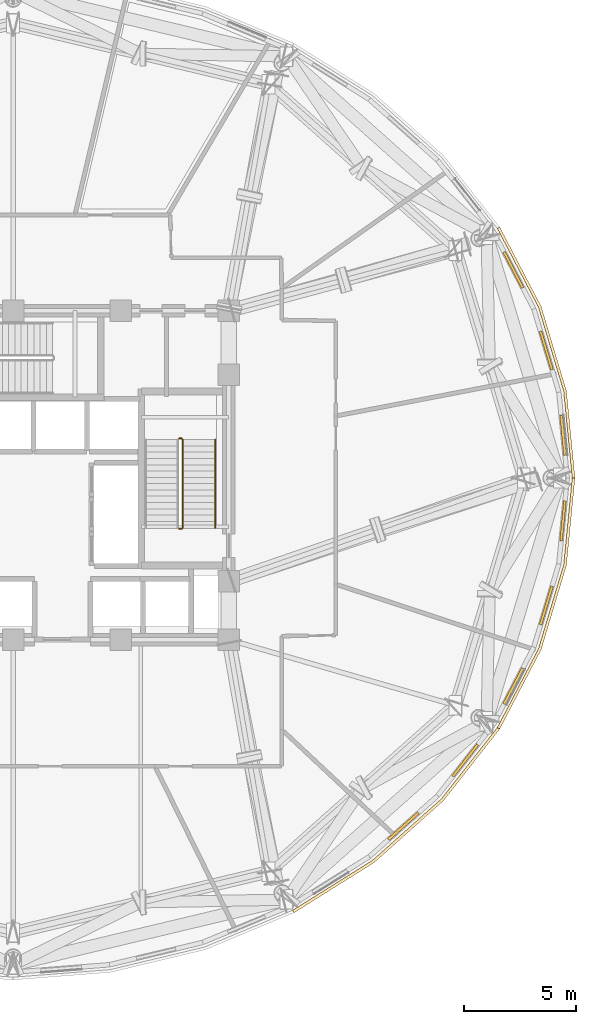
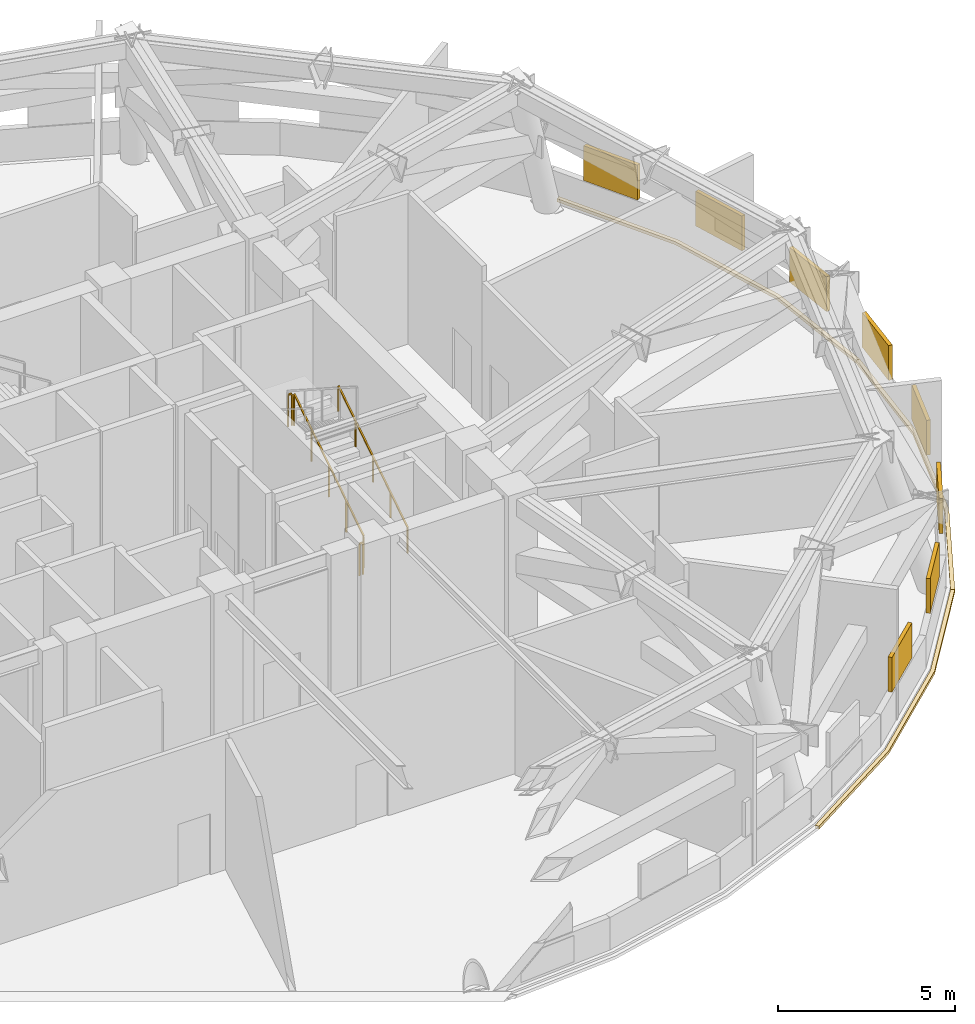
# One storey, part 12 of 13: 8 shading devices, 4 railings, 3 coverings.
"""IFC4 building model written with IfcOpenShell, lengths in metres."""

from ifc_helpers import new_model, si_unit, direction, frame, origin, origin_2d, place, context, subcontext, project, spatial, polyline, rectangle, outline, extrude, material, layer, layer_set, type_object, element, save


model = new_model("IFC4")

# Units and contexts
model_context = context("Model", 3, precision=1e-05, world=origin(), true_north=direction((0.0, 1.0)))
body_context = subcontext(model_context, "Body", "Model", "MODEL_VIEW")
ifc_project = project(units=[si_unit("LENGTHUNIT", "METRE"), si_unit("AREAUNIT", "SQUARE_METRE"), si_unit("VOLUMEUNIT", "CUBIC_METRE"), si_unit("PLANEANGLEUNIT", "RADIAN"), si_unit("MASSUNIT", "GRAM", prefix="KILO")], contexts=[model_context])

# Site, building, storey
site_placement = place(None, origin())
site = spatial("IfcSite", under=ifc_project, at=site_placement, CompositionType="ELEMENT")
building_placement = place(site_placement, origin())
building = spatial("IfcBuilding", under=site, at=building_placement, Name="Vantalir Tower", CompositionType="ELEMENT")
storey_placement = place(building_placement, frame((0.0, 0.0, 175.949951171875)))
storey = spatial("IfcBuildingStorey", under=building, at=storey_placement, Name="L44", CompositionType="ELEMENT", Elevation=175.949951171875)

# Coverings
ifc_material_1 = material(Name="Anodised champagne aluminium sill fascia", Category="aluminium")
ifc_layer_1 = layer(ifc_material_1, 0.125)
ifc_layer_set_1 = layer_set([ifc_layer_1], Name="Anodised champagne aluminium sill fascia")
covering_type = type_object("IfcCoveringType", Name="COV-SLAB-FASCIA-125", PredefinedType="CLADDING", material=ifc_layer_set_1)
covering_1_placement = place(storey_placement, frame((0.0, 0.0, -0.179931640625)))
element("IfcCovering", 1, at=covering_1_placement, inside=storey, type_object=covering_type, Name="L44 Perimeter Slab-Edge Sill Fascia 01", PredefinedType="CLADDING", context=body_context, shape_type="SweptSolid", body=[
    extrude(outline(polyline([(56.52490234375, 25.0), (56.14501953125, 28.882080078125), (55.01611328125, 32.64697265625), (53.172119140625, 36.177978515625), (53.06396484375, 36.115966796875), (54.89794921875, 32.60400390625), (56.02197265625, 28.861083984375), (56.39990234375, 25.0), (56.52490234375, 25.0)])), origin(), (0.0, 0.0, 1.0), 0.10498046875),
])
covering_2_placement = place(storey_placement, frame((0.0, 0.0, -0.179931640625)))
element("IfcCovering", 2, at=covering_2_placement, inside=storey, type_object=covering_type, Name="L44 Perimeter Slab-Edge Sill Fascia 11", PredefinedType="CLADDING", context=body_context, shape_type="SweptSolid", body=[
    extrude(outline(polyline([(44.012939453125, 5.637939453125), (47.5859375, 7.8740234375), (50.669921875, 10.62890625), (53.172119140625, 13.821044921875), (53.06396484375, 13.884033203125), (50.574951171875, 10.7099609375), (47.5048828125, 7.968994140625), (43.949951171875, 5.7470703125), (44.012939453125, 5.637939453125)])), origin(), (0.0, 0.0, 1.0), 0.10498046875),
])
covering_3_placement = place(storey_placement, frame((0.0, 0.0, -0.179931640625)))
element("IfcCovering", 3, at=covering_3_placement, inside=storey, type_object=covering_type, Name="L44 Perimeter Slab-Edge Sill Fascia 12", PredefinedType="CLADDING", context=body_context, shape_type="SweptSolid", body=[
    extrude(outline(polyline([(53.172119140625, 13.821044921875), (55.01611328125, 17.35302734375), (56.14501953125, 21.117919921875), (56.52490234375, 25.0), (56.39990234375, 25.0), (56.02197265625, 21.138916015625), (54.89794921875, 17.39599609375), (53.06396484375, 13.884033203125), (53.172119140625, 13.821044921875)])), origin(), (0.0, 0.0, 1.0), 0.10498046875),
])

# Railings
ifc_material_2 = material(Name="Anodised aluminium and stainless steel guard", Category="steel")
railing_type_1 = type_object("IfcRailingType", Name="RAL-GUARD-1120", PredefinedType="GUARDRAIL", material=ifc_material_2)
railing_1_placement = place(storey_placement, frame((39.06005859375, 22.7900390625, 0.179931640625)))
element("IfcRailing", 4, at=railing_1_placement, inside=storey, type_object=railing_type_1, Name="L44 ST2 stair guard 1", PredefinedType="GUARDRAIL", context=body_context, shape_type="SweptSolid", body=[
    extrude(rectangle(XDim=0.048095703125, YDim=0.048095703125, at=origin_2d()), frame((0.0, 0.0, 1.09619140625), z_axis=(0.0, 0.841171666519, 0.540768182723), x_axis=(-1.0, 0.0, 0.0)), (0.0, 0.0, 1.0), 4.66015625),
    extrude(rectangle(XDim=0.0419921875, YDim=0.0419921875, at=origin_2d()), origin(), (0.0, 0.0, 1.0), 1.072021484375),
    extrude(rectangle(XDim=0.0419921875, YDim=0.0419921875, at=origin_2d()), frame((0.0, 0.97998046875, 0.6298828125)), (0.0, 0.0, 1.0), 1.072021484375),
    extrude(rectangle(XDim=0.0419921875, YDim=0.0419921875, at=origin_2d()), frame((0.0, 1.9599609375, 1.260009765625)), (0.0, 0.0, 1.0), 1.072021484375),
    extrude(rectangle(XDim=0.0419921875, YDim=0.0419921875, at=origin_2d()), frame((0.0, 2.93994140625, 1.89013671875)), (0.0, 0.0, 1.0), 1.072021484375),
    extrude(rectangle(XDim=0.0419921875, YDim=0.0419921875, at=origin_2d()), frame((0.0, 3.919921875, 2.52001953125)), (0.0, 0.0, 1.0), 1.072021484375),
])
for number, where, name in (
    (5, (39.010009765625, 26.760009765625, 2.699951171875), "L44 ST2 stair guard 2"),
    (6, (39.010009765625, 22.739990234375, 0.0), "L44 ST2 stair guard 4"),
):
    element("IfcRailing", number, at=place(storey_placement, frame(where)), inside=storey, type_object=railing_type_1, Name=name, PredefinedType="GUARDRAIL", context=body_context, shape_type="SweptSolid", body=[
        extrude(rectangle(XDim=0.048095703125, YDim=0.048095703125, at=origin_2d()), frame((0.0, 0.0, 1.09619140625), z_axis=(-1.0, 0.0, 0.0), x_axis=(0.0, -1.0, 0.0)), (0.0, 0.0, 1.0), 0.1201171875),
        extrude(rectangle(XDim=0.0419921875, YDim=0.0419921875, at=origin_2d()), origin(), (0.0, 0.0, 1.0), 1.072021484375),
        extrude(rectangle(XDim=0.0419921875, YDim=0.0419921875, at=origin_2d()), frame((-0.1201171875, 0.0, 0.0)), (0.0, 0.0, 1.0), 1.072021484375),
    ])
ifc_material_3 = material(Name="Brushed stainless steel tubular handrail", Category="steel")
railing_type_2 = type_object("IfcRailingType", Name="RAL-HANDRAIL-900", PredefinedType="HANDRAIL", material=ifc_material_3)
railing_2_placement = place(storey_placement, frame((40.5, 22.7900390625, 0.179931640625)))
element("IfcRailing", 7, at=railing_2_placement, inside=storey, type_object=railing_type_2, Name="L44 ST2 stair handrail 1", PredefinedType="HANDRAIL", context=body_context, shape_type="SweptSolid", body=[
    extrude(rectangle(XDim=0.048095703125, YDim=0.048095703125, at=origin_2d()), frame((0.0, 0.0, 0.8759765625), z_axis=(0.0, 0.841171666519, 0.540768182723), x_axis=(-1.0, 0.0, 0.0)), (0.0, 0.0, 1.0), 4.66015625),
    extrude(rectangle(XDim=0.0419921875, YDim=0.0419921875, at=origin_2d()), origin(), (0.0, 0.0, 1.0), 0.851806640625),
    extrude(rectangle(XDim=0.0419921875, YDim=0.0419921875, at=origin_2d()), frame((0.0, 0.97998046875, 0.6298828125)), (0.0, 0.0, 1.0), 0.851806640625),
    extrude(rectangle(XDim=0.0419921875, YDim=0.0419921875, at=origin_2d()), frame((0.0, 1.9599609375, 1.260009765625)), (0.0, 0.0, 1.0), 0.851806640625),
    extrude(rectangle(XDim=0.0419921875, YDim=0.0419921875, at=origin_2d()), frame((0.0, 2.93994140625, 1.89013671875)), (0.0, 0.0, 1.0), 0.851806640625),
    extrude(rectangle(XDim=0.0419921875, YDim=0.0419921875, at=origin_2d()), frame((0.0, 3.919921875, 2.52001953125)), (0.0, 0.0, 1.0), 0.851806640625),
])

# Shading devices
ifc_material_4 = material(Name="Champagne-silver PVDF aluminium storm louvre", Category="aluminium")
ifc_layer_2 = layer(ifc_material_4, 0.1201171875)
ifc_layer_set_2 = layer_set([ifc_layer_2], Name="Champagne-silver PVDF aluminium storm louvre")
shading_device_type = type_object("IfcShadingDeviceType", Name="SHD-STORM-LOUVRE", PredefinedType="JALOUSIE", material=ifc_layer_set_2)
for number, where, z_axis, x_axis, name in (
    (8, (55.991943359375, 26.910888671875, 1.1162109375), (0.0, 0.0, 1.0), (-0.097652379501, 0.995220584985, 0.0), "L44 Acoustic Storm Louvre R01"),
    (9, (55.248046875, 30.676025390625, 1.1162109375), (0.0, 0.0, 1.0), (-0.28756111942, 0.957762289192, 0.0), "L44 Acoustic Storm Louvre R02"),
    (10, (53.782958984375, 34.26806640625, 1.1162109375), (0.0, 0.0, 1.0), (-0.463342435996, 0.886179319893, 0.0), "L44 Acoustic Storm Louvre R03"),
    (11, (48.885009765625, 9.493896484375, 1.1162109375), (0.0, 0.0, 1.0), (0.746313000263, 0.665595151454, 0.0), "L44 Acoustic Storm Louvre R32"),
    (12, (51.639892578125, 12.422119140625, 1.1162109375), (0.0, 0.0, 1.0), (0.617585109014, 0.78650405792, 0.0), "L44 Acoustic Storm Louvre R33"),
    (13, (53.782958984375, 15.73193359375, 1.1162109375), (0.0, 0.0, 1.0), (0.463342435996, 0.886179319893, 0.0), "L44 Acoustic Storm Louvre R34"),
    (14, (55.248046875, 19.323974609375, 1.1162109375), (0.0, 0.0, 1.0), (0.28756111942, 0.957762289192, 0.0), "L44 Acoustic Storm Louvre R35"),
    (15, (55.991943359375, 23.089111328125, 1.1162109375), (0.0, 0.0, 1.0), (0.097652379501, 0.995220584985, 0.0), "L44 Acoustic Storm Louvre R36"),
):
    element("IfcShadingDevice", number, at=place(storey_placement, frame(where, z_axis=z_axis, x_axis=x_axis)), inside=storey, type_object=shading_device_type, Name=name, PredefinedType="JALOUSIE", context=body_context, shape_type="SweptSolid", body=[
        extrude(rectangle(XDim=1.800048828125, YDim=0.1201171875, at=origin_2d()), origin(), (0.0, 0.0, 1.0), 1.199951171875),
    ])

save(model, "model.ifc")
